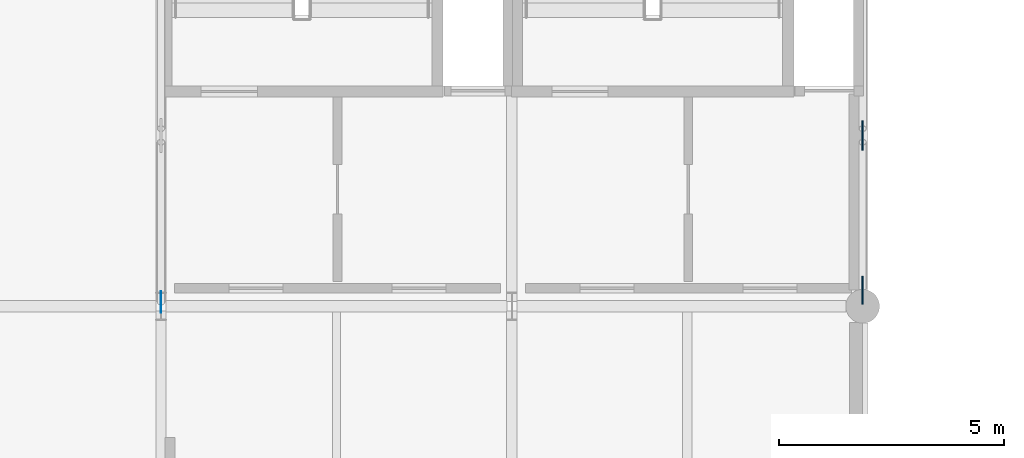
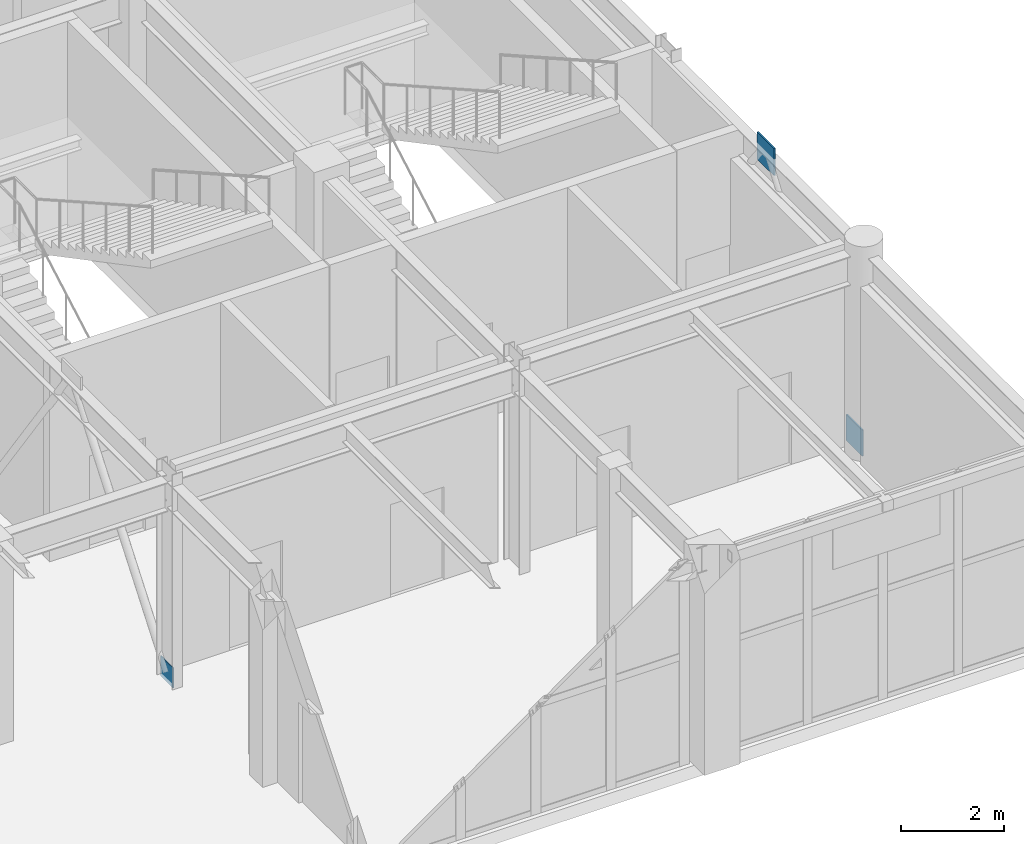
# One storey, part 109 of 128: 3 plates.
"""IFC4 building model written with IfcOpenShell, lengths in metres."""

from ifc_helpers import new_model, si_unit, direction, frame, origin, origin_2d, place, context, subcontext, project, spatial, rectangle, extrude, material, layer, layer_set, type_object, element, save


model = new_model("IFC4")

# Units and contexts
model_context = context("Model", 3, precision=1e-05, world=origin(), true_north=direction((0.0, 1.0)))
body_context = subcontext(model_context, "Body", "Model", "MODEL_VIEW")
ifc_project = project(units=[si_unit("LENGTHUNIT", "METRE"), si_unit("AREAUNIT", "SQUARE_METRE"), si_unit("VOLUMEUNIT", "CUBIC_METRE"), si_unit("PLANEANGLEUNIT", "RADIAN"), si_unit("MASSUNIT", "GRAM", prefix="KILO")], contexts=[model_context])

# Site, building, storey
site_placement = place(None, origin())
site = spatial("IfcSite", under=ifc_project, at=site_placement, CompositionType="ELEMENT")
building_placement = place(site_placement, origin())
building = spatial("IfcBuilding", under=site, at=building_placement, Name="Xicomal Pleat Aquarium", CompositionType="ELEMENT")
storey_placement = place(building_placement, frame((0.0, 0.0, 5.39990234375)))
storey = spatial("IfcBuildingStorey", under=building, at=storey_placement, Name="L02", CompositionType="ELEMENT", Elevation=5.39990234375)

# Plates
ifc_material_1 = material(Name="Structural steel A992 Gr 50", Category="steel")
ifc_layer_1 = layer(ifc_material_1, 0.02001953125)
ifc_layer_set_1 = layer_set([ifc_layer_1], Name="Structural steel A992 Gr 50")
plate_type_1 = type_object("IfcPlateType", Name="PLT-CAP-20", PredefinedType="SHEET", material=ifc_layer_set_1)
plate_1_placement = place(storey_placement, frame((141.60009765625, 83.695068359375, -0.08984375), z_axis=(0.0, 0.0, 1.0), x_axis=(0.0, 1.0, 0.0)))
element("IfcPlate", 1, at=plate_1_placement, inside=storey, type_object=plate_type_1, Name="L02 HSS end cap plate 28", PredefinedType="SHEET", context=body_context, shape_type="SweptSolid", body=[
    extrude(rectangle(XDim=0.47998046875, YDim=0.02001953125, at=origin_2d()), origin(), (0.0, 0.0, 1.0), 0.47998046875),
])
ifc_material_2 = material(Name="Structural steel A992 Gr 50", Category="steel")
ifc_layer_2 = layer(ifc_material_2, 0.030029296875)
ifc_layer_set_2 = layer_set([ifc_layer_2], Name="Structural steel A992 Gr 50")
plate_type_2 = type_object("IfcPlateType", Name="PLT-CAP-30", PredefinedType="SHEET", material=ifc_layer_set_2)
plate_2_placement = place(storey_placement, frame((157.199951171875, 83.955078125, -0.159912109375), z_axis=(0.0, 0.0, 1.0), x_axis=(0.0, 1.0, 0.0)))
element("IfcPlate", 2, at=plate_2_placement, inside=storey, type_object=plate_type_2, Name="L02 HSS end cap plate 23", PredefinedType="SHEET", context=body_context, shape_type="SweptSolid", body=[
    extrude(rectangle(XDim=0.6201171875, YDim=0.030029296875, at=origin_2d()), origin(), (0.0, 0.0, 1.0), 0.6201171875),
])
ifc_material_3 = material(Name="Structural steel A992 Gr 50", Category="steel")
ifc_layer_3 = layer(ifc_material_3, 0.034912109375)
ifc_layer_set_3 = layer_set([ifc_layer_3], Name="Structural steel A992 Gr 50")
plate_type_3 = type_object("IfcPlateType", Name="PLT-GUS-35", PredefinedType="USERDEFINED", material=ifc_layer_set_3)
plate_3_placement = place(storey_placement, frame((157.199951171875, 87.39990234375, 4.425048828125), z_axis=(0.0, 0.0, 1.0), x_axis=(0.0, 1.0, 0.0)))
element("IfcPlate", 3, at=plate_3_placement, inside=storey, type_object=plate_type_3, Name="L02 chevron gusset node plate 23", ObjectType="GUSSET PLATE", PredefinedType="USERDEFINED", context=body_context, shape_type="SweptSolid", body=[
    extrude(rectangle(XDim=0.64990234375, YDim=0.034912109375, at=origin_2d()), origin(), (0.0, 0.0, 1.0), 0.64990234375),
])

save(model, "model.ifc")
